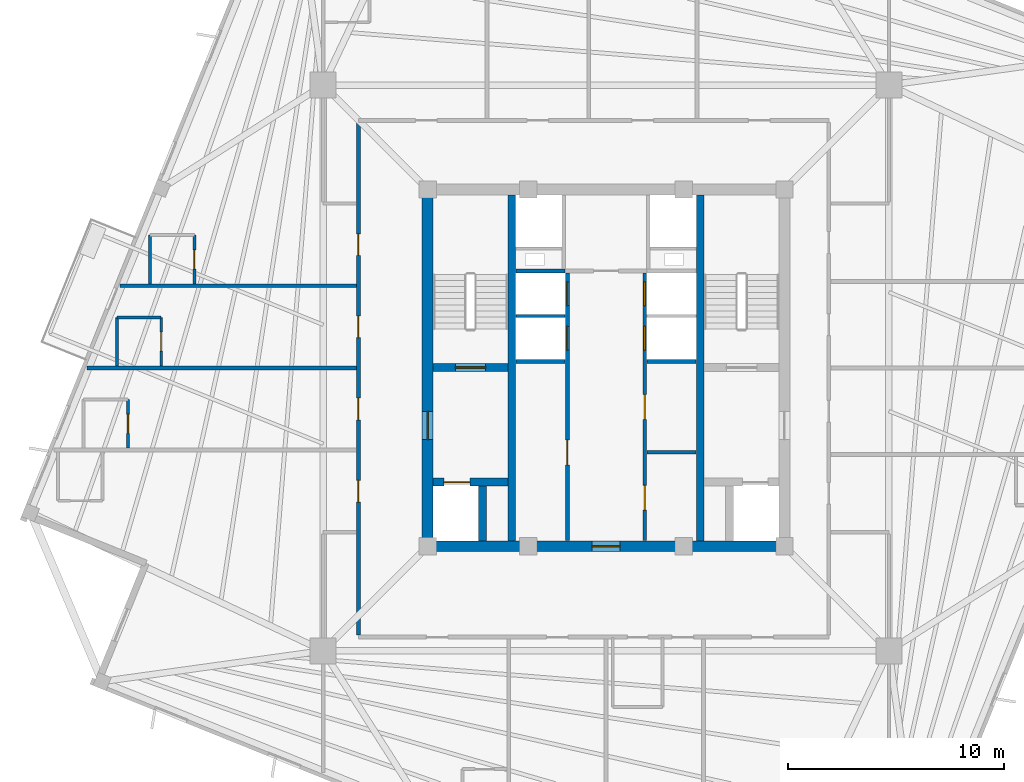
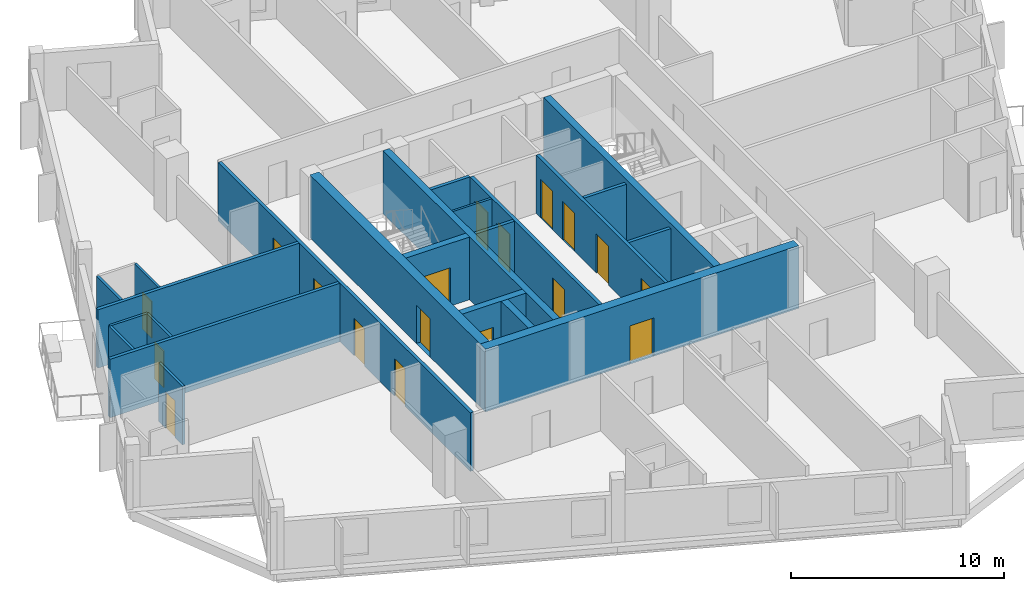
# One storey, part 3 of 9: 23 walls, 18 doors, 18 openings.
"""IFC4 building model written with IfcOpenShell, lengths in metres."""

import ifcopenshell
import ifcopenshell.guid

model = None  # the IFC model being written
_history = None  # IfcOwnerHistory: only IFC2X3 demands one
_inside = {}  # id of a spatial element -> (the spatial element, [elements in it])
_under = {}  # id of a project, library or spatial element -> (it, [spatial elements below it])
_declared = {}  # id of a project -> (the project, [libraries it declares])
_typed = {}  # id of a type object -> (the type object, [elements of that type])
_made_of = {}  # id of a material, layer set ... -> (it, [elements and type objects made of it])


def new_model(schema):
    """Start an empty IFC model of exactly this schema.

    Asked for "IFC4X3", IfcOpenShell would pick the latest addendum, in which some entities
    have other attributes; the version numbers below select the first issue.
    IFC2X3 requires an IfcOwnerHistory on every rooted entity: one is made here for all.
    """
    global model, _history
    if schema == "IFC4X3":
        model = ifcopenshell.file(schema_version=(4, 3, 0, 0))
    else:
        model = ifcopenshell.file(schema=schema)
    _inside.clear()
    _under.clear()
    _declared.clear()
    _typed.clear()
    _made_of.clear()
    _history = None
    if model.schema == "IFC2X3":
        org = make("IfcOrganization", Name="unknown")
        user = make(
            "IfcPersonAndOrganization",
            ThePerson=make("IfcPerson", FamilyName="unknown"),
            TheOrganization=org,
        )
        app = make(
            "IfcApplication",
            ApplicationDeveloper=org,
            Version="unknown",
            ApplicationFullName="unknown",
            ApplicationIdentifier="unknown",
        )
        _history = make(
            "IfcOwnerHistory",
            OwningUser=user,
            OwningApplication=app,
            ChangeAction="ADDED",
            CreationDate=0,
        )
    return model


def make(cls, **values):
    """One entity of the class cls with the attributes given. An attribute that is None is left unset."""
    return model.create_entity(
        cls, **{name: value for name, value in values.items() if value is not None}
    )


def rooted(cls, **values):
    """An entity with a GlobalId (a new one), such as an element, a storey or a relation."""
    return make(cls, GlobalId=ifcopenshell.guid.new(), OwnerHistory=_history, **values)


def si_unit(unit_type, name, prefix=None):
    """IfcSIUnit, for example si_unit("LENGTHUNIT", "METRE", prefix="MILLI")."""
    return make("IfcSIUnit", UnitType=unit_type, Prefix=prefix, Name=name)


def assignment(units):
    """IfcUnitAssignment: the units of a project."""
    return None if units is None else make("IfcUnitAssignment", Units=units)


def point(xyz):
    """IfcCartesianPoint."""
    return None if xyz is None else make("IfcCartesianPoint", Coordinates=xyz)


def direction(xyz):
    """IfcDirection."""
    return None if xyz is None else make("IfcDirection", DirectionRatios=xyz)


def frame(location, z_axis=None, x_axis=None):
    """IfcAxis2Placement3D, a coordinate frame: its origin and axes. An axis left out is left unset."""
    return make(
        "IfcAxis2Placement3D",
        Location=point(location),
        Axis=direction(z_axis),
        RefDirection=direction(x_axis),
    )


def frame_2d(location, x_axis=None):
    """IfcAxis2Placement2D, a coordinate frame in the plane: its origin and x axis."""
    return make(
        "IfcAxis2Placement2D", Location=point(location), RefDirection=direction(x_axis)
    )


def origin():
    """The frame at (0, 0, 0) with its axes left unset."""
    return frame((0.0, 0.0, 0.0))


def place(relative_to, where):
    """IfcLocalPlacement: puts the frame where relative to a parent placement (None: the world)."""
    return make(
        "IfcLocalPlacement", PlacementRelTo=relative_to, RelativePlacement=where
    )


def context(
    kind, dimensions, precision=None, world=None, true_north=None, identifier=None
):
    """IfcGeometricRepresentationContext, for example the 3D "Model" context."""
    return make(
        "IfcGeometricRepresentationContext",
        ContextIdentifier=identifier,
        ContextType=kind,
        CoordinateSpaceDimension=dimensions,
        Precision=precision,
        WorldCoordinateSystem=world,
        TrueNorth=true_north,
    )


def subcontext(parent, identifier, kind, view, scale=None):
    """IfcGeometricRepresentationSubContext, for example "Body" below "Model"."""
    return make(
        "IfcGeometricRepresentationSubContext",
        ContextIdentifier=identifier,
        ContextType=kind,
        ParentContext=parent,
        TargetScale=scale,
        TargetView=view,
    )


def project(units=None, contexts=None):
    """IfcProject with its units and contexts."""
    return rooted(
        "IfcProject",
        Name="project",
        RepresentationContexts=contexts,
        UnitsInContext=assignment(units),
    )


def spatial(cls, under=None, at=None, **own):
    """A site, building, storey or space (cls), placed at a placement, below another one or the project."""
    s = rooted(cls, ObjectPlacement=at, **own)
    if under is not None:
        _under.setdefault(under.id(), (under, []))[1].append(s)
    return s


def profile(cls, at=None, kind="AREA", **sizes):
    """A parametric profile (cls). Its sizes go by their IFC names, for example OverallWidth=200.0."""
    return make(cls, ProfileType=kind, Position=at, **sizes)


def rectangle(**sizes):
    """IfcRectangleProfileDef."""
    return profile("IfcRectangleProfileDef", **sizes)


def extrude(swept, where, along, depth):
    """IfcExtrudedAreaSolid: the profile swept, set in the frame where, extruded along a direction by depth."""
    return make(
        "IfcExtrudedAreaSolid",
        SweptArea=swept,
        Position=where,
        ExtrudedDirection=direction(along),
        Depth=depth,
    )


def shape(context_of_items, identifier, shape_type, items):
    """IfcShapeRepresentation: the items that make up one representation, for example the "Body"."""
    return make(
        "IfcShapeRepresentation",
        ContextOfItems=context_of_items,
        RepresentationIdentifier=identifier,
        RepresentationType=shape_type,
        Items=items,
    )


def source(mapping_origin, context_of_items, identifier, shape_type, items):
    """IfcRepresentationMap: a shape defined once, which mapped items show again and again."""
    return make(
        "IfcRepresentationMap",
        MappingOrigin=mapping_origin,
        MappedRepresentation=shape(context_of_items, identifier, shape_type, items),
    )


def transform(
    local_origin,
    x_axis=None,
    y_axis=None,
    z_axis=None,
    scale=None,
    scale2=None,
    scale3=None,
    uniform=True,
):
    """IfcCartesianTransformationOperator3D, or its non-uniform kind. x_axis, y_axis, z_axis: its Axis1, 2, 3."""
    if uniform:
        return make(
            "IfcCartesianTransformationOperator3D",
            Axis1=direction(x_axis),
            Axis2=direction(y_axis),
            LocalOrigin=point(local_origin),
            Scale=scale,
            Axis3=direction(z_axis),
        )
    return make(
        "IfcCartesianTransformationOperator3DnonUniform",
        Axis1=direction(x_axis),
        Axis2=direction(y_axis),
        LocalOrigin=point(local_origin),
        Scale=scale,
        Axis3=direction(z_axis),
        Scale2=scale2,
        Scale3=scale3,
    )


def mapped(mapping_source, mapping_target):
    """IfcMappedItem: shows the shape of a source again, moved by a transform."""
    return make(
        "IfcMappedItem", MappingSource=mapping_source, MappingTarget=mapping_target
    )


def material(Name=None, Category=None):
    """IfcMaterial."""
    return make("IfcMaterial", Name=Name, Category=Category)


def layer(
    of_material, thickness, ventilated=None, Name=None, Category=None, Priority=None
):
    """IfcMaterialLayer: one layer of a wall or slab, of a material (None: an air gap)."""
    return make(
        "IfcMaterialLayer",
        Material=of_material,
        LayerThickness=thickness,
        IsVentilated=ventilated,
        Name=Name,
        Category=Category,
        Priority=Priority,
    )


def layer_set(layers, Name=None):
    """IfcMaterialLayerSet."""
    return make("IfcMaterialLayerSet", MaterialLayers=layers, LayerSetName=Name)


def made_of(thing, what):
    """Note that an element or type object is made of a material, layer set ...; save() writes the relation."""
    if what is not None:
        _made_of.setdefault(what.id(), (what, []))[1].append(thing)
    return thing


def type_object(cls, material=None, **own):
    """A type object (cls), such as IfcWallType, which elements share."""
    return made_of(rooted(cls, **own), material)


def element(
    cls,
    number,
    at=None,
    inside=None,
    cuts=None,
    type_object=None,
    material=None,
    context=None,
    identifier="Body",
    shape_type=None,
    held_by="IfcProductDefinitionShape",
    body=None,
    shapes=None,
    **own,
):
    """One element of the class cls, such as IfcWall. Its Tag is "e" and its number.

    at: its placement. inside: the storey or other place that contains it. cuts: it is an
    opening in that element (IfcRelVoidsElement). A single representation is given by context,
    identifier, shape_type and body (its items); several are given by shapes. held_by: the class
    of the entity that holds the representations. save() writes the other relations.
    """
    e = rooted(cls, Tag="e%d" % number, ObjectPlacement=at, **own)
    if body is not None:
        shapes = [shape(context, identifier, shape_type, body)]
    if shapes is not None:
        e.Representation = make(held_by, Representations=shapes)
    if inside is not None:
        _inside.setdefault(inside.id(), (inside, []))[1].append(e)
    if cuts is not None:
        rooted(
            "IfcRelVoidsElement", RelatingBuildingElement=cuts, RelatedOpeningElement=e
        )
    if type_object is not None:
        _typed.setdefault(type_object.id(), (type_object, []))[1].append(e)
    return made_of(e, material)


def fill(opening, filler):
    """IfcRelFillsElement: the door or window that sits in an opening."""
    return rooted(
        "IfcRelFillsElement",
        RelatingOpeningElement=opening,
        RelatedBuildingElement=filler,
    )


def aggregate(whole, parts):
    """IfcRelAggregates: a whole, such as a stair, and the parts it consists of."""
    return rooted("IfcRelAggregates", RelatingObject=whole, RelatedObjects=parts)


def save(model, path):
    """Write the relations noted so far, then the file.

    IfcRelAggregates (storeys below a building ...), IfcRelContainedInSpatialStructure (elements
    in a storey), IfcRelDefinesByType, IfcRelAssociatesMaterial and IfcRelDeclares: one each for
    every whole, place, type object, material and project.
    """
    for whole, parts in _under.values():
        aggregate(whole, parts)
    for where, things in _inside.values():
        rooted(
            "IfcRelContainedInSpatialStructure",
            RelatedElements=things,
            RelatingStructure=where,
        )
    for kind, things in _typed.values():
        rooted("IfcRelDefinesByType", RelatedObjects=things, RelatingType=kind)
    for what, things in _made_of.values():
        rooted("IfcRelAssociatesMaterial", RelatedObjects=things, RelatingMaterial=what)
    for by, libraries in _declared.values():
        rooted("IfcRelDeclares", RelatingContext=by, RelatedDefinitions=libraries)
    model.write(path)


model = new_model("IFC4")

# Units and contexts
model_context = context("Model", 3, precision=1e-05, world=origin(), true_north=direction((0.0, 1.0)))
body_context = subcontext(model_context, "Body", "Model", "MODEL_VIEW")
ifc_project = project(units=[si_unit("LENGTHUNIT", "METRE"), si_unit("AREAUNIT", "SQUARE_METRE"), si_unit("VOLUMEUNIT", "CUBIC_METRE"), si_unit("PLANEANGLEUNIT", "RADIAN"), si_unit("MASSUNIT", "GRAM", prefix="KILO"), si_unit("THERMODYNAMICTEMPERATUREUNIT", "KELVIN")], contexts=[model_context])

# Site, building, storey
site_placement = place(None, origin())
site = spatial("IfcSite", under=ifc_project, at=site_placement, CompositionType="ELEMENT")
building_placement = place(site_placement, origin())
building = spatial("IfcBuilding", under=site, at=building_placement, Name="Kosmvard Interchange Tower", CompositionType="ELEMENT")
storey_placement = place(building_placement, frame((0.0, 0.0, 279.60009765625)))
storey = spatial("IfcBuildingStorey", under=building, at=storey_placement, Name="L68", CompositionType="ELEMENT", Elevation=279.60009765625)

# Wall, openings, doors
ifc_material_1 = material(Name="Fire-rated gypsum partition system")
ifc_layer_1 = layer(ifc_material_1, 0.179931640625, Name="Fire-rated gypsum partition system")
ifc_layer_set_1 = layer_set([ifc_layer_1], Name="Fire-rated gypsum partition system")
wall_type_1 = type_object("IfcWallType", Name="Corridor & Hotel Compartment Partition 180", PredefinedType="PARTITIONING", material=ifc_layer_set_1)
wall_1_placement = place(storey_placement, frame((-1.7900390625, -7.97998046875, 0.0), z_axis=(0.0, 0.0, 1.0), x_axis=(0.0, 1.0, 0.0)))
wall_1 = element("IfcWall", 1, at=wall_1_placement, inside=storey, type_object=wall_type_1, Name="L68 West Lift Bank Front Wall", PredefinedType="PARTITIONING", context=body_context, shape_type="SweptSolid", body=[
    extrude(rectangle(XDim=12.3798828125, YDim=0.179931640625, at=frame_2d((6.18994140625, 0.0))), origin(), (0.0, 0.0, 1.0), 3.349853515625),
])
opening_1_placement = place(wall_1_placement, frame((8.800048828125, 0.0, 0.0)))
opening_1 = element("IfcOpeningElement", 2, at=opening_1_placement, cuts=wall_1, Name="Opening LD-PL-H1-L68", PredefinedType="OPENING", context=body_context, shape_type="SweptSolid", body=[
    extrude(rectangle(XDim=1.10009765625, YDim=2.199951171875, at=frame_2d((0.550048828125, 1.10009765625))), frame((0.0, 0.10009765625, 0.0), z_axis=(0.0, -1.0, 0.0), x_axis=(1.0, 0.0, 0.0)), (0.0, 0.0, 1.0), 0.199951171875),
])
opening_2_placement = place(wall_1_placement, frame((10.860107421875, 0.0, 0.0)))
opening_2 = element("IfcOpeningElement", 3, at=opening_2_placement, cuts=wall_1, Name="Opening LD-PL-H2-L68", PredefinedType="OPENING", context=body_context, shape_type="SweptSolid", body=[
    extrude(rectangle(XDim=1.10009765625, YDim=2.199951171875, at=frame_2d((0.550048828125, 1.10009765625))), frame((0.0, 0.10009765625, 0.0), z_axis=(0.0, -1.0, 0.0), x_axis=(1.0, 0.0, 0.0)), (0.0, 0.0, 1.0), 0.199951171875),
])
opening_3_placement = place(wall_1_placement, frame((3.5, 0.0, 0.0)))
opening_3 = element("IfcOpeningElement", 4, at=opening_3_placement, cuts=wall_1, Name="Opening L68-CD1", PredefinedType="OPENING", context=body_context, shape_type="SweptSolid", body=[
    extrude(rectangle(XDim=1.14990234375, YDim=2.25, at=frame_2d((0.574951171875, 1.125))), frame((0.0, 0.10009765625, 0.0), z_axis=(0.0, -1.0, 0.0), x_axis=(1.0, 0.0, 0.0)), (0.0, 0.0, 1.0), 0.199951171875),
])
ifc_material_2 = material(Name="Painted fire-rated steel leaf", Category="steel")
door_type_1 = type_object("IfcDoorType", Name="Plant & Riser Fire Door 1150x2250 EI60", OperationType="NOTDEFINED", PredefinedType="DOOR", material=ifc_material_2)
shared_shape_1 = source(origin(), body_context, "Body", "SweptSolid", [
    extrude(rectangle(XDim=1.14990234375, YDim=2.25, at=frame_2d((0.574951171875, 1.125))), frame((0.0, 0.02490234375, 0.0), z_axis=(0.0, -1.0, 0.0), x_axis=(1.0, 0.0, 0.0)), (0.0, 0.0, 1.0), 0.050048828125),
])
door_1_placement = place(opening_3_placement, origin())
door_1 = element("IfcDoor", 5, at=door_1_placement, inside=storey, type_object=door_type_1, Name="L68 Core West Store Door", OperationType="SINGLE_SWING_LEFT", OverallHeight=2.25, OverallWidth=1.14990234375, PredefinedType="DOOR", context=body_context, shape_type="MappedRepresentation", body=[
    mapped(shared_shape_1, transform((0.0, 0.0, 0.0), scale=1.0)),
])
fill(opening_3, door_1)
ifc_material_3 = material(Name="Brushed stainless steel sliding leaf", Category="steel")
door_type_2 = type_object("IfcDoorType", Name="Passenger Lift Sliding Landing Door 1100x2200 EI60", OperationType="DOUBLE_DOOR_SLIDING", PredefinedType="DOOR", material=ifc_material_3)
shared_shape_2 = source(origin(), body_context, "Body", "SweptSolid", [
    extrude(rectangle(XDim=1.10009765625, YDim=2.199951171875, at=frame_2d((0.550048828125, 1.10009765625))), frame((0.0, 0.02490234375, 0.0), z_axis=(0.0, -1.0, 0.0), x_axis=(1.0, 0.0, 0.0)), (0.0, 0.0, 1.0), 0.050048828125),
])
door_2_placement = place(opening_1_placement, frame((1.10009765625, 0.0, 0.0), z_axis=(0.0, 0.0, 1.0), x_axis=(-1.0, 0.0, 0.0)))
door_2 = element("IfcDoor", 6, at=door_2_placement, inside=storey, type_object=door_type_2, Name="Lift PL-H1 Landing Door L68", OperationType="DOUBLE_DOOR_SLIDING", OverallHeight=2.199951171875, OverallWidth=1.10009765625, PredefinedType="DOOR", context=body_context, shape_type="MappedRepresentation", body=[
    mapped(shared_shape_2, transform((0.0, 0.0, 0.0), scale=1.0)),
])
fill(opening_1, door_2)
door_3_placement = place(opening_2_placement, frame((1.10009765625, 0.0, 0.0), z_axis=(0.0, 0.0, 1.0), x_axis=(-1.0, 0.0, 0.0)))
door_3 = element("IfcDoor", 7, at=door_3_placement, inside=storey, type_object=door_type_2, Name="Lift PL-H2 Landing Door L68", OperationType="DOUBLE_DOOR_SLIDING", OverallHeight=2.199951171875, OverallWidth=1.10009765625, PredefinedType="DOOR", context=body_context, shape_type="MappedRepresentation", body=[
    mapped(shared_shape_2, transform((0.0, 0.0, 0.0), scale=1.0)),
])
fill(opening_2, door_3)

wall_2_placement = place(storey_placement, frame((1.7900390625, -7.97998046875, 0.0), z_axis=(0.0, 0.0, 1.0), x_axis=(0.0, 1.0, 0.0)))
wall_2 = element("IfcWall", 8, at=wall_2_placement, inside=storey, type_object=wall_type_1, Name="L68 East Lift Bank Front Wall", PredefinedType="PARTITIONING", context=body_context, shape_type="SweptSolid", body=[
    extrude(rectangle(XDim=12.3798828125, YDim=0.179931640625, at=frame_2d((6.18994140625, 0.0))), origin(), (0.0, 0.0, 1.0), 3.349853515625),
])
opening_4_placement = place(wall_2_placement, frame((8.800048828125, 0.0, 0.0)))
opening_4 = element("IfcOpeningElement", 9, at=opening_4_placement, cuts=wall_2, Name="Opening LD-PL-H3-L68", PredefinedType="OPENING", context=body_context, shape_type="SweptSolid", body=[
    extrude(rectangle(XDim=1.10009765625, YDim=2.199951171875, at=frame_2d((0.550048828125, 1.10009765625))), frame((0.0, 0.10009765625, 0.0), z_axis=(0.0, -1.0, 0.0), x_axis=(1.0, 0.0, 0.0)), (0.0, 0.0, 1.0), 0.199951171875),
])
opening_5_placement = place(wall_2_placement, frame((10.860107421875, 0.0, 0.0)))
opening_5 = element("IfcOpeningElement", 10, at=opening_5_placement, cuts=wall_2, Name="Opening LD-PL-H4-L68", PredefinedType="OPENING", context=body_context, shape_type="SweptSolid", body=[
    extrude(rectangle(XDim=1.10009765625, YDim=2.199951171875, at=frame_2d((0.550048828125, 1.10009765625))), frame((0.0, 0.10009765625, 0.0), z_axis=(0.0, -1.0, 0.0), x_axis=(1.0, 0.0, 0.0)), (0.0, 0.0, 1.0), 0.199951171875),
])
opening_6_placement = place(wall_2_placement, frame((1.39990234375, 0.0, 0.0)))
opening_6 = element("IfcOpeningElement", 11, at=opening_6_placement, cuts=wall_2, Name="Opening L68-CD2", PredefinedType="OPENING", context=body_context, shape_type="SweptSolid", body=[
    extrude(rectangle(XDim=1.14990234375, YDim=2.25, at=frame_2d((0.574951171875, 1.125))), frame((0.0, 0.10009765625, 0.0), z_axis=(0.0, -1.0, 0.0), x_axis=(1.0, 0.0, 0.0)), (0.0, 0.0, 1.0), 0.199951171875),
])
opening_7_placement = place(wall_2_placement, frame((5.60009765625, 0.0, 0.0)))
opening_7 = element("IfcOpeningElement", 12, at=opening_7_placement, cuts=wall_2, Name="Opening L68-CD3", PredefinedType="OPENING", context=body_context, shape_type="SweptSolid", body=[
    extrude(rectangle(XDim=1.14990234375, YDim=2.25, at=frame_2d((0.574951171875, 1.125))), frame((0.0, 0.10009765625, 0.0), z_axis=(0.0, -1.0, 0.0), x_axis=(1.0, 0.0, 0.0)), (0.0, 0.0, 1.0), 0.199951171875),
])
door_4_placement = place(opening_6_placement, frame((1.14990234375, 0.0, 0.0), z_axis=(0.0, 0.0, 1.0), x_axis=(-1.0, 0.0, 0.0)))
door_4 = element("IfcDoor", 13, at=door_4_placement, inside=storey, type_object=door_type_1, Name="L68 Core Tea Pantry Door", OperationType="SINGLE_SWING_LEFT", OverallHeight=2.25, OverallWidth=1.14990234375, PredefinedType="DOOR", context=body_context, shape_type="MappedRepresentation", body=[
    mapped(shared_shape_1, transform((0.0, 0.0, 0.0), scale=1.0)),
])
fill(opening_6, door_4)
door_5_placement = place(opening_7_placement, frame((1.14990234375, 0.0, 0.0), z_axis=(0.0, 0.0, 1.0), x_axis=(-1.0, 0.0, 0.0)))
door_5 = element("IfcDoor", 14, at=door_5_placement, inside=storey, type_object=door_type_1, Name="L68 Mid Core Pantry Door", OperationType="SINGLE_SWING_RIGHT", OverallHeight=2.25, OverallWidth=1.14990234375, PredefinedType="DOOR", context=body_context, shape_type="MappedRepresentation", body=[
    mapped(shared_shape_1, transform((0.0, 0.0, 0.0), scale=1.0)),
])
fill(opening_7, door_5)
door_6_placement = place(opening_4_placement, origin())
door_6 = element("IfcDoor", 15, at=door_6_placement, inside=storey, type_object=door_type_2, Name="Lift PL-H3 Landing Door L68", OperationType="DOUBLE_DOOR_SLIDING", OverallHeight=2.199951171875, OverallWidth=1.10009765625, PredefinedType="DOOR", context=body_context, shape_type="MappedRepresentation", body=[
    mapped(shared_shape_2, transform((0.0, 0.0, 0.0), scale=1.0)),
])
fill(opening_4, door_6)
door_7_placement = place(opening_5_placement, origin())
door_7 = element("IfcDoor", 16, at=door_7_placement, inside=storey, type_object=door_type_2, Name="Lift PL-H4 Landing Door L68", OperationType="DOUBLE_DOOR_SLIDING", OverallHeight=2.199951171875, OverallWidth=1.10009765625, PredefinedType="DOOR", context=body_context, shape_type="MappedRepresentation", body=[
    mapped(shared_shape_2, transform((0.0, 0.0, 0.0), scale=1.0)),
])
fill(opening_5, door_7)

wall_3_placement = place(storey_placement, frame((-11.449951171875, -12.35009765625, 0.0), z_axis=(0.0, 0.0, 1.0), x_axis=(0.0, 1.0, 0.0)))
wall_3 = element("IfcWall", 17, at=wall_3_placement, inside=storey, type_object=wall_type_1, Name="L68 Corridor Wall CW", PredefinedType="PARTITIONING", context=body_context, shape_type="SweptSolid", body=[
    extrude(rectangle(XDim=23.7001953125, YDim=0.179931640625, at=frame_2d((11.85009765625, 0.0))), origin(), (0.0, 0.0, 1.0), 3.349853515625),
])
opening_8_placement = place(wall_3_placement, frame((13.75, 0.0, 0.0)))
opening_8 = element("IfcOpeningElement", 18, at=opening_8_placement, cuts=wall_3, Name="Opening L68-D02", PredefinedType="OPENING", context=body_context, shape_type="SweptSolid", body=[
    extrude(rectangle(XDim=1.0, YDim=2.14990234375, at=frame_2d((0.5, 1.074951171875))), frame((0.0, 0.10009765625, 0.0), z_axis=(0.0, -1.0, 0.0), x_axis=(1.0, 0.0, 0.0)), (0.0, 0.0, 1.0), 0.199951171875),
])
opening_9_placement = place(wall_3_placement, frame((17.550048828125, 0.0, 0.0)))
opening_9 = element("IfcOpeningElement", 19, at=opening_9_placement, cuts=wall_3, Name="Opening L68-D04", PredefinedType="OPENING", context=body_context, shape_type="SweptSolid", body=[
    extrude(rectangle(XDim=1.0, YDim=2.14990234375, at=frame_2d((0.5, 1.074951171875))), frame((0.0, 0.10009765625, 0.0), z_axis=(0.0, -1.0, 0.0), x_axis=(1.0, 0.0, 0.0)), (0.0, 0.0, 1.0), 0.199951171875),
])
opening_10_placement = place(wall_3_placement, frame((6.14990234375, 0.0, 0.0)))
opening_10 = element("IfcOpeningElement", 20, at=opening_10_placement, cuts=wall_3, Name="Opening L68-D28", PredefinedType="OPENING", context=body_context, shape_type="SweptSolid", body=[
    extrude(rectangle(XDim=1.0, YDim=2.14990234375, at=frame_2d((0.5, 1.074951171875))), frame((0.0, 0.10009765625, 0.0), z_axis=(0.0, -1.0, 0.0), x_axis=(1.0, 0.0, 0.0)), (0.0, 0.0, 1.0), 0.199951171875),
])
opening_11_placement = place(wall_3_placement, frame((9.949951171875, 0.0, 0.0)))
opening_11 = element("IfcOpeningElement", 21, at=opening_11_placement, cuts=wall_3, Name="Opening L68-D30", PredefinedType="OPENING", context=body_context, shape_type="SweptSolid", body=[
    extrude(rectangle(XDim=1.0, YDim=2.14990234375, at=frame_2d((0.5, 1.074951171875))), frame((0.0, 0.10009765625, 0.0), z_axis=(0.0, -1.0, 0.0), x_axis=(1.0, 0.0, 0.0)), (0.0, 0.0, 1.0), 0.199951171875),
])
ifc_material_4 = material(Name="Engineered oak fire-rated timber", Category="wood")
door_type_3 = type_object("IfcDoorType", Name="Hotel Guestroom Entrance Door 1000x2150 EI60", OperationType="NOTDEFINED", PredefinedType="DOOR", material=ifc_material_4)
shared_shape_3 = source(origin(), body_context, "Body", "SweptSolid", [
    extrude(rectangle(XDim=1.0, YDim=2.14990234375, at=frame_2d((0.5, 1.074951171875))), frame((0.0, 0.02490234375, 0.0), z_axis=(0.0, -1.0, 0.0), x_axis=(1.0, 0.0, 0.0)), (0.0, 0.0, 1.0), 0.050048828125),
])
door_8_placement = place(opening_8_placement, origin())
door_8 = element("IfcDoor", 22, at=door_8_placement, inside=storey, type_object=door_type_3, Name="L68 Hotel Standard Guest Room 1 Door", OperationType="SINGLE_SWING_RIGHT", OverallHeight=2.14990234375, OverallWidth=1.0, PredefinedType="DOOR", context=body_context, shape_type="MappedRepresentation", body=[
    mapped(shared_shape_3, transform((0.0, 0.0, 0.0), scale=1.0)),
])
fill(opening_8, door_8)
door_9_placement = place(opening_9_placement, origin())
door_9 = element("IfcDoor", 23, at=door_9_placement, inside=storey, type_object=door_type_3, Name="L68 Hotel Standard Junior Suite 2 Door", OperationType="SINGLE_SWING_RIGHT", OverallHeight=2.14990234375, OverallWidth=1.0, PredefinedType="DOOR", context=body_context, shape_type="MappedRepresentation", body=[
    mapped(shared_shape_3, transform((0.0, 0.0, 0.0), scale=1.0)),
])
fill(opening_9, door_9)
door_10_placement = place(opening_10_placement, origin())
door_10 = element("IfcDoor", 24, at=door_10_placement, inside=storey, type_object=door_type_3, Name="L68 Hotel Corner Suite 4 Door", OperationType="SINGLE_SWING_RIGHT", OverallHeight=2.14990234375, OverallWidth=1.0, PredefinedType="DOOR", context=body_context, shape_type="MappedRepresentation", body=[
    mapped(shared_shape_3, transform((0.0, 0.0, 0.0), scale=1.0)),
])
fill(opening_10, door_10)
door_11_placement = place(opening_11_placement, origin())
door_11 = element("IfcDoor", 25, at=door_11_placement, inside=storey, type_object=door_type_3, Name="L68 Hotel King Guest Room 10 Door", OperationType="SINGLE_SWING_RIGHT", OverallHeight=2.14990234375, OverallWidth=1.0, PredefinedType="DOOR", context=body_context, shape_type="MappedRepresentation", body=[
    mapped(shared_shape_3, transform((0.0, 0.0, 0.0), scale=1.0)),
])
fill(opening_11, door_11)

# Walls
wall_4_placement = place(storey_placement, frame((-11.544921875, 0.0, 0.0), z_axis=(0.0, 0.0, 1.0), x_axis=(-1.0, 0.0, 0.0)))
element("IfcWall", 26, at=wall_4_placement, inside=storey, type_object=wall_type_1, Name="L68 Room Partition 11.1", PredefinedType="PARTITIONING", context=body_context, shape_type="SweptSolid", body=[
    extrude(rectangle(XDim=12.457763671875, YDim=0.179931640625, at=frame_2d((6.22900390625, 0.0))), origin(), (0.0, 0.0, 1.0), 3.349853515625),
])
wall_5_placement = place(storey_placement, frame((-11.544921875, 3.800048828125, 0.0), z_axis=(0.0, 0.0, 1.0), x_axis=(-1.0, 0.0, 0.0)))
element("IfcWall", 27, at=wall_5_placement, inside=storey, type_object=wall_type_1, Name="L68 Room Partition 12.1", PredefinedType="PARTITIONING", context=body_context, shape_type="SweptSolid", body=[
    extrude(rectangle(XDim=10.922607421875, YDim=0.179931640625, at=frame_2d((5.46142578125, 0.0))), origin(), (0.0, 0.0, 1.0), 3.349853515625),
])
ifc_material_5 = material(Name="Concrete blockwork masonry", Category="masonry")
ifc_layer_2 = layer(ifc_material_5, 0.179931640625, Name="Concrete blockwork masonry")
ifc_layer_set_2 = layer_set([ifc_layer_2], Name="Concrete blockwork masonry")
wall_type_2 = type_object("IfcWallType", Name="Riser & Lift Bank Divider Wall 180", PredefinedType="PARTITIONING", material=ifc_layer_set_2)
for number, where, z_axis, x_axis, name in (
    (28, (1.889892578125, -3.89990234375, 0.0), (0.0, 0.0, 1.0), (1.0, 0.0, 0.0), "L68 East Bank Divider BD1"),
    (29, (-4.169921875, 0.300048828125, 0.0), (0.0, 0.0, 1.0), (1.0, 0.0, 0.0), "L68 West Bank Divider BD2"),
    (30, (1.889892578125, 0.300048828125, 0.0), (0.0, 0.0, 1.0), (1.0, 0.0, 0.0), "L68 East Bank Divider BD2"),
    (31, (-4.169921875, 4.489990234375, 0.0), (0.0, 0.0, 1.0), (1.0, 0.0, 0.0), "L68 West Bank Divider BD3"),
):
    element("IfcWall", number, at=place(storey_placement, frame(where, z_axis=z_axis, x_axis=x_axis)), inside=storey, type_object=wall_type_2, Name=name, PredefinedType="PARTITIONING", context=body_context, shape_type="SweptSolid", body=[
        extrude(rectangle(XDim=2.280029296875, YDim=0.179931640625, at=frame_2d((1.14013671875, 0.0))), origin(), (0.0, 0.0, 1.0), 3.349853515625),
    ])
ifc_material_6 = material(Name="Fire-rated gypsum shaftwall system")
ifc_layer_3 = layer(ifc_material_6, 0.1201171875, Name="Fire-rated gypsum shaftwall system")
ifc_layer_set_3 = layer_set([ifc_layer_3], Name="Fire-rated gypsum shaftwall system")
wall_type_3 = type_object("IfcWallType", Name="Shaft & Riser Fire Partition 120 EI60", PredefinedType="PARTITIONING", material=ifc_layer_set_3)
wall_6_placement = place(storey_placement, frame((-4.159912109375, 2.39990234375, 0.0), z_axis=(0.0, 0.0, 1.0), x_axis=(1.0, 0.0, 0.0)))
element("IfcWall", 32, at=wall_6_placement, inside=storey, type_object=wall_type_3, Name="L68 Shaft Divider PL-H1", PredefinedType="PARTITIONING", context=body_context, shape_type="SweptSolid", body=[
    extrude(rectangle(XDim=2.260009765625, YDim=0.1201171875, at=frame_2d((1.1298828125, 0.0))), origin(), (0.0, 0.0, 1.0), 3.349853515625),
])
ifc_material_7 = material(Name="Concrete C60/75", Category="concrete")
ifc_layer_4 = layer(ifc_material_7, 0.360107421875, Name="Concrete C60/75")
ifc_layer_set_4 = layer_set([ifc_layer_4], Name="Concrete C60/75")
wall_type_4 = type_object("IfcWallType", Name="Stair & Lift Shaft Shear Wall 360 C60/75", PredefinedType="SHEAR", material=ifc_layer_set_4)
for number, where, z_axis, x_axis, name in (
    (33, (-4.360107421875, -8.0, 0.0), (0.0, 0.0, 1.0), (0.0, 1.0, 0.0), "L68 Shaft Shear Wall SW-W"),
    (34, (4.360107421875, -8.0, 0.0), (0.0, 0.0, 1.0), (0.0, 1.0, 0.0), "L68 Shaft Shear Wall SW-E"),
):
    element("IfcWall", number, at=place(storey_placement, frame(where, z_axis=z_axis, x_axis=x_axis)), inside=storey, type_object=wall_type_4, Name=name, PredefinedType="SHEAR", context=body_context, shape_type="SweptSolid", body=[
        extrude(rectangle(XDim=16.0, YDim=0.360107421875, at=frame_2d((8.0, 0.0))), origin(), (0.0, 0.0, 1.0), 3.599853515625),
    ])

# Wall, opening, door
wall_7_placement = place(storey_placement, frame((-8.0, 0.02001953125, 0.0), z_axis=(0.0, 0.0, 1.0), x_axis=(1.0, 0.0, 0.0)))
wall_7 = element("IfcWall", 35, at=wall_7_placement, inside=storey, type_object=wall_type_4, Name="L68 Shaft Shear Wall SW-ST1", PredefinedType="SHEAR", context=body_context, shape_type="SweptSolid", body=[
    extrude(rectangle(XDim=3.4599609375, YDim=0.360107421875, at=frame_2d((1.72998046875, 0.0))), origin(), (0.0, 0.0, 1.0), 3.599853515625),
])
opening_12_placement = place(wall_7_placement, frame((1.030029296875, 0.0, 0.0)))
opening_12 = element("IfcOpeningElement", 36, at=opening_12_placement, cuts=wall_7, Name="Opening L68-SD1", PredefinedType="OPENING", context=body_context, shape_type="SweptSolid", body=[
    extrude(rectangle(XDim=1.39990234375, YDim=2.199951171875, at=frame_2d((0.699951171875, 1.10009765625))), frame((0.0, 0.18994140625, 0.0), z_axis=(0.0, -1.0, 0.0), x_axis=(1.0, 0.0, 0.0)), (0.0, 0.0, 1.0), 0.380126953125),
])
door_type_4 = type_object("IfcDoorType", Name="Protected Stair Door 1400x2200 FD60S", OperationType="NOTDEFINED", PredefinedType="DOOR", material=ifc_material_2)
shared_shape_4 = source(origin(), body_context, "Body", "SweptSolid", [
    extrude(rectangle(XDim=1.39990234375, YDim=2.199951171875, at=frame_2d((0.699951171875, 1.10009765625))), frame((0.0, 0.02490234375, 0.0), z_axis=(0.0, -1.0, 0.0), x_axis=(1.0, 0.0, 0.0)), (0.0, 0.0, 1.0), 0.050048828125),
])
door_12_placement = place(opening_12_placement, origin())
door_12 = element("IfcDoor", 37, at=door_12_placement, inside=storey, type_object=door_type_4, Name="L68 Stair ST-1 Enclosure Door", OperationType="SINGLE_SWING_LEFT", OverallHeight=2.199951171875, OverallWidth=1.39990234375, PredefinedType="DOOR", context=body_context, shape_type="MappedRepresentation", body=[
    mapped(shared_shape_4, transform((0.0, 0.0, 0.0), scale=1.0)),
])
fill(opening_12, door_12)

wall_8_placement = place(storey_placement, frame((-8.0, -5.280029296875, 0.0), z_axis=(0.0, 0.0, 1.0), x_axis=(1.0, 0.0, 0.0)))
wall_8 = element("IfcWall", 38, at=wall_8_placement, inside=storey, type_object=wall_type_4, Name="L68 Shaft Shear Wall SW-FF1", PredefinedType="SHEAR", context=body_context, shape_type="SweptSolid", body=[
    extrude(rectangle(XDim=3.4599609375, YDim=0.360107421875, at=frame_2d((1.72998046875, 0.0))), origin(), (0.0, 0.0, 1.0), 3.599853515625),
])
opening_13_placement = place(wall_8_placement, frame((0.5, 0.0, 0.0)))
opening_13 = element("IfcOpeningElement", 39, at=opening_13_placement, cuts=wall_8, Name="Opening LD-FF-1-L68", PredefinedType="OPENING", context=body_context, shape_type="SweptSolid", body=[
    extrude(rectangle(XDim=1.199951171875, YDim=2.25, at=frame_2d((0.60009765625, 1.125))), frame((0.0, 0.18994140625, 0.0), z_axis=(0.0, -1.0, 0.0), x_axis=(1.0, 0.0, 0.0)), (0.0, 0.0, 1.0), 0.380126953125),
])
door_type_5 = type_object("IfcDoorType", Name="Firefighting Lift Sliding Landing Door 1200x2250 EI120", OperationType="DOUBLE_DOOR_SLIDING", PredefinedType="DOOR", material=ifc_material_3)
shared_shape_5 = source(origin(), body_context, "Body", "SweptSolid", [
    extrude(rectangle(XDim=1.199951171875, YDim=2.25, at=frame_2d((0.60009765625, 1.125))), frame((0.0, 0.02490234375, 0.0), z_axis=(0.0, -1.0, 0.0), x_axis=(1.0, 0.0, 0.0)), (0.0, 0.0, 1.0), 0.050048828125),
])
door_13_placement = place(opening_13_placement, origin())
door_13 = element("IfcDoor", 40, at=door_13_placement, inside=storey, type_object=door_type_5, Name="Lift FF-1 Landing Door L68", OperationType="DOUBLE_DOOR_SLIDING", OverallHeight=2.25, OverallWidth=1.199951171875, PredefinedType="DOOR", context=body_context, shape_type="MappedRepresentation", body=[
    mapped(shared_shape_5, transform((0.0, 0.0, 0.0), scale=1.0)),
])
fill(opening_13, door_13)

# Wall
wall_9_placement = place(storey_placement, frame((-5.7099609375, -8.0, 0.0), z_axis=(0.0, 0.0, 1.0), x_axis=(0.0, 1.0, 0.0)))
element("IfcWall", 41, at=wall_9_placement, inside=storey, type_object=wall_type_4, Name="L68 Shaft Shear Wall SW-SM1", PredefinedType="SHEAR", context=body_context, shape_type="SweptSolid", body=[
    extrude(rectangle(XDim=2.5400390625, YDim=0.360107421875, at=frame_2d((1.27001953125, 0.0))), origin(), (0.0, 0.0, 1.0), 3.599853515625),
])

# Wall, opening, door
ifc_layer_5 = layer(ifc_material_7, 0.5, Name="Concrete C60/75")
ifc_layer_set_5 = layer_set([ifc_layer_5], Name="Concrete C60/75")
wall_type_5 = type_object("IfcWallType", Name="Upper Core Shear Wall 500 C60/75", PredefinedType="SHEAR", material=ifc_layer_set_5)
wall_10_placement = place(storey_placement, frame((-8.5, -8.25, 0.0), z_axis=(0.0, 0.0, 1.0), x_axis=(1.0, 0.0, 0.0)))
wall_10 = element("IfcWall", 42, at=wall_10_placement, inside=storey, type_object=wall_type_5, Name="L68 Core Shear Wall CW-S", PredefinedType="SHEAR", context=body_context, shape_type="SweptSolid", body=[
    extrude(rectangle(XDim=17.0, YDim=0.5, at=frame_2d((8.5, 0.0))), origin(), (0.0, 0.0, 1.0), 3.599853515625),
])
opening_14_placement = place(wall_10_placement, frame((7.85009765625, 0.0, 0.0)))
opening_14 = element("IfcOpeningElement", 43, at=opening_14_placement, cuts=wall_10, Name="Opening L68-LD0", PredefinedType="OPENING", context=body_context, shape_type="SweptSolid", body=[
    extrude(rectangle(XDim=1.300048828125, YDim=2.199951171875, at=frame_2d((0.64990234375, 1.10009765625))), frame((0.0, 0.260009765625, 0.0), z_axis=(0.0, -1.0, 0.0), x_axis=(1.0, 0.0, 0.0)), (0.0, 0.0, 1.0), 0.52001953125),
])
door_type_6 = type_object("IfcDoorType", Name="Firefighting Lobby Door 1300x2200 EI60", OperationType="NOTDEFINED", PredefinedType="DOOR", material=ifc_material_2)
shared_shape_6 = source(origin(), body_context, "Body", "SweptSolid", [
    extrude(rectangle(XDim=1.300048828125, YDim=2.199951171875, at=frame_2d((0.64990234375, 1.10009765625))), frame((0.0, 0.02490234375, 0.0), z_axis=(0.0, -1.0, 0.0), x_axis=(1.0, 0.0, 0.0)), (0.0, 0.0, 1.0), 0.050048828125),
])
door_14_placement = place(opening_14_placement, frame((1.300048828125, 0.0, 0.0), z_axis=(0.0, 0.0, 1.0), x_axis=(-1.0, 0.0, 0.0)))
door_14 = element("IfcDoor", 44, at=door_14_placement, inside=storey, type_object=door_type_6, Name="L68 Passenger Lift Lobby South Door", OperationType="SINGLE_SWING_RIGHT", OverallHeight=2.199951171875, OverallWidth=1.300048828125, PredefinedType="DOOR", context=body_context, shape_type="MappedRepresentation", body=[
    mapped(shared_shape_6, transform((0.0, 0.0, 0.0), scale=1.0)),
])
fill(opening_14, door_14)

wall_11_placement = place(storey_placement, frame((-8.25, -8.0, 0.0), z_axis=(0.0, 0.0, 1.0), x_axis=(0.0, 1.0, 0.0)))
wall_11 = element("IfcWall", 45, at=wall_11_placement, inside=storey, type_object=wall_type_5, Name="L68 Core Shear Wall CW-W", PredefinedType="SHEAR", context=body_context, shape_type="SweptSolid", body=[
    extrude(rectangle(XDim=16.0, YDim=0.5, at=frame_2d((8.0, 0.0))), origin(), (0.0, 0.0, 1.0), 3.599853515625),
])
opening_15_placement = place(wall_11_placement, frame((4.68994140625, 0.0, 0.0)))
opening_15 = element("IfcOpeningElement", 46, at=opening_15_placement, cuts=wall_11, Name="Opening L68-FD1", PredefinedType="OPENING", context=body_context, shape_type="SweptSolid", body=[
    extrude(rectangle(XDim=1.300048828125, YDim=2.199951171875, at=frame_2d((0.64990234375, 1.10009765625))), frame((0.0, 0.260009765625, 0.0), z_axis=(0.0, -1.0, 0.0), x_axis=(1.0, 0.0, 0.0)), (0.0, 0.0, 1.0), 0.52001953125),
])
door_15_placement = place(opening_15_placement, frame((1.300048828125, 0.0, 0.0), z_axis=(0.0, 0.0, 1.0), x_axis=(-1.0, 0.0, 0.0)))
door_15 = element("IfcDoor", 47, at=door_15_placement, inside=storey, type_object=door_type_6, Name="L68 Firefighting Lobby West Door", OperationType="SINGLE_SWING_LEFT", OverallHeight=2.199951171875, OverallWidth=1.300048828125, PredefinedType="DOOR", context=body_context, shape_type="MappedRepresentation", body=[
    mapped(shared_shape_6, transform((0.0, 0.0, 0.0), scale=1.0)),
])
fill(opening_15, door_15)

ifc_material_8 = material(Name="Moisture-resistant gypsum partition")
ifc_layer_6 = layer(ifc_material_8, 0.135009765625, Name="Moisture-resistant gypsum partition")
ifc_layer_set_6 = layer_set([ifc_layer_6], Name="Moisture-resistant gypsum partition")
wall_type_6 = type_object("IfcWallType", Name="Wet Room Moisture-Resistant Partition 135", PredefinedType="PARTITIONING", material=ifc_layer_set_6)
wall_12_placement = place(storey_placement, frame((-20.569580078125, 0.090087890625, 0.0), z_axis=(0.0, 0.0, 1.0), x_axis=(0.0, 1.0, 0.0)))
wall_12 = element("IfcWall", 48, at=wall_12_placement, inside=storey, type_object=wall_type_6, Name="L68 En-Suite Partition HGR1-E", PredefinedType="PARTITIONING", context=body_context, shape_type="SweptSolid", body=[
    extrude(rectangle(XDim=2.25, YDim=0.135009765625, at=frame_2d((1.125, 0.0))), origin(), (0.0, 0.0, 1.0), 3.349853515625),
])
opening_16_placement = place(wall_12_placement, frame((0.68505859375, 0.0, 0.0)))
opening_16 = element("IfcOpeningElement", 49, at=opening_16_placement, cuts=wall_12, Name="Opening L68-ED03", PredefinedType="OPENING", context=body_context, shape_type="SweptSolid", body=[
    extrude(rectangle(XDim=0.8798828125, YDim=2.10009765625, at=frame_2d((0.43994140625, 1.050048828125))), frame((0.0, 0.07763671875, 0.0), z_axis=(0.0, -1.0, 0.0), x_axis=(1.0, 0.0, 0.0)), (0.0, 0.0, 1.0), 0.155029296875),
])
ifc_material_9 = material(Name="Laminated moisture-resistant timber", Category="wood")
door_type_7 = type_object("IfcDoorType", Name="En-Suite & Washroom Door 880x2100", OperationType="NOTDEFINED", PredefinedType="DOOR", material=ifc_material_9)
shared_shape_7 = source(origin(), body_context, "Body", "SweptSolid", [
    extrude(rectangle(XDim=0.8798828125, YDim=2.10009765625, at=frame_2d((0.43994140625, 1.050048828125))), frame((0.0, 0.02490234375, 0.0), z_axis=(0.0, -1.0, 0.0), x_axis=(1.0, 0.0, 0.0)), (0.0, 0.0, 1.0), 0.050048828125),
])
door_16_placement = place(opening_16_placement, origin())
door_16 = element("IfcDoor", 50, at=door_16_placement, inside=storey, type_object=door_type_7, Name="L68 HGR1 En-Suite Door", OperationType="SINGLE_SWING_RIGHT", OverallHeight=2.10009765625, OverallWidth=0.8798828125, PredefinedType="DOOR", context=body_context, shape_type="MappedRepresentation", body=[
    mapped(shared_shape_7, transform((0.0, 0.0, 0.0), scale=1.0)),
])
fill(opening_16, door_16)

# Walls
wall_13_placement = place(storey_placement, frame((-22.619384765625, 2.340087890625, 0.0), z_axis=(0.0, 0.0, 1.0), x_axis=(1.0, 0.0, 0.0)))
element("IfcWall", 51, at=wall_13_placement, inside=storey, type_object=wall_type_6, Name="L68 En-Suite Partition HGR1-N", PredefinedType="PARTITIONING", context=body_context, shape_type="SweptSolid", body=[
    extrude(rectangle(XDim=2.0498046875, YDim=0.135009765625, at=frame_2d((1.02490234375, 0.0))), origin(), (0.0, 0.0, 1.0), 3.349853515625),
])
wall_14_placement = place(storey_placement, frame((-22.619384765625, 0.090087890625, 0.0), z_axis=(0.0, 0.0, 1.0), x_axis=(0.0, 1.0, 0.0)))
element("IfcWall", 52, at=wall_14_placement, inside=storey, type_object=wall_type_6, Name="L68 En-Suite Partition HGR1-W", PredefinedType="PARTITIONING", context=body_context, shape_type="SweptSolid", body=[
    extrude(rectangle(XDim=2.25, YDim=0.135009765625, at=frame_2d((1.125, 0.0))), origin(), (0.0, 0.0, 1.0), 3.349853515625),
])

# Wall, opening, door
wall_15_placement = place(storey_placement, frame((-19.0341796875, 3.889892578125, 0.0), z_axis=(0.0, 0.0, 1.0), x_axis=(0.0, 1.0, 0.0)))
wall_15 = element("IfcWall", 53, at=wall_15_placement, inside=storey, type_object=wall_type_6, Name="L68 En-Suite Partition HGR2-E", PredefinedType="PARTITIONING", context=body_context, shape_type="SweptSolid", body=[
    extrude(rectangle(XDim=2.25, YDim=0.135009765625, at=frame_2d((1.125, 0.0))), origin(), (0.0, 0.0, 1.0), 3.349853515625),
])
opening_17_placement = place(wall_15_placement, frame((0.68505859375, 0.0, 0.0)))
opening_17 = element("IfcOpeningElement", 54, at=opening_17_placement, cuts=wall_15, Name="Opening L68-ED05", PredefinedType="OPENING", context=body_context, shape_type="SweptSolid", body=[
    extrude(rectangle(XDim=0.8798828125, YDim=2.10009765625, at=frame_2d((0.43994140625, 1.050048828125))), frame((0.0, 0.07763671875, 0.0), z_axis=(0.0, -1.0, 0.0), x_axis=(1.0, 0.0, 0.0)), (0.0, 0.0, 1.0), 0.155029296875),
])
door_17_placement = place(opening_17_placement, origin())
door_17 = element("IfcDoor", 55, at=door_17_placement, inside=storey, type_object=door_type_7, Name="L68 HGR2 En-Suite Door", OperationType="SINGLE_SWING_RIGHT", OverallHeight=2.10009765625, OverallWidth=0.8798828125, PredefinedType="DOOR", context=body_context, shape_type="MappedRepresentation", body=[
    mapped(shared_shape_7, transform((0.0, 0.0, 0.0), scale=1.0)),
])
fill(opening_17, door_17)

# Wall
wall_16_placement = place(storey_placement, frame((-21.084228515625, 3.889892578125, 0.0), z_axis=(0.0, 0.0, 1.0), x_axis=(0.0, 1.0, 0.0)))
element("IfcWall", 56, at=wall_16_placement, inside=storey, type_object=wall_type_6, Name="L68 En-Suite Partition HGR2-W", PredefinedType="PARTITIONING", context=body_context, shape_type="SweptSolid", body=[
    extrude(rectangle(XDim=2.25, YDim=0.135009765625, at=frame_2d((1.125, 0.0))), origin(), (0.0, 0.0, 1.0), 3.349853515625),
])

# Wall, opening, door
wall_17_placement = place(storey_placement, frame((-22.104736328125, -3.7099609375, 0.0), z_axis=(0.0, 0.0, 1.0), x_axis=(0.0, 1.0, 0.0)))
wall_17 = element("IfcWall", 57, at=wall_17_placement, inside=storey, type_object=wall_type_6, Name="L68 En-Suite Partition HGR0-E", PredefinedType="PARTITIONING", context=body_context, shape_type="SweptSolid", body=[
    extrude(rectangle(XDim=2.25, YDim=0.135009765625, at=frame_2d((1.125, 0.0))), origin(), (0.0, 0.0, 1.0), 3.349853515625),
])
opening_18_placement = place(wall_17_placement, frame((0.68505859375, 0.0, 0.0)))
opening_18 = element("IfcOpeningElement", 58, at=opening_18_placement, cuts=wall_17, Name="Opening L68-ED31", PredefinedType="OPENING", context=body_context, shape_type="SweptSolid", body=[
    extrude(rectangle(XDim=0.8798828125, YDim=2.10009765625, at=frame_2d((0.43994140625, 1.050048828125))), frame((0.0, 0.07763671875, 0.0), z_axis=(0.0, -1.0, 0.0), x_axis=(1.0, 0.0, 0.0)), (0.0, 0.0, 1.0), 0.155029296875),
])
door_18_placement = place(opening_18_placement, origin())
door_18 = element("IfcDoor", 59, at=door_18_placement, inside=storey, type_object=door_type_7, Name="L68 HGR0 En-Suite Door", OperationType="SINGLE_SWING_RIGHT", OverallHeight=2.10009765625, OverallWidth=0.8798828125, PredefinedType="DOOR", context=body_context, shape_type="MappedRepresentation", body=[
    mapped(shared_shape_7, transform((0.0, 0.0, 0.0), scale=1.0)),
])
fill(opening_18, door_18)

save(model, "model.ifc")
